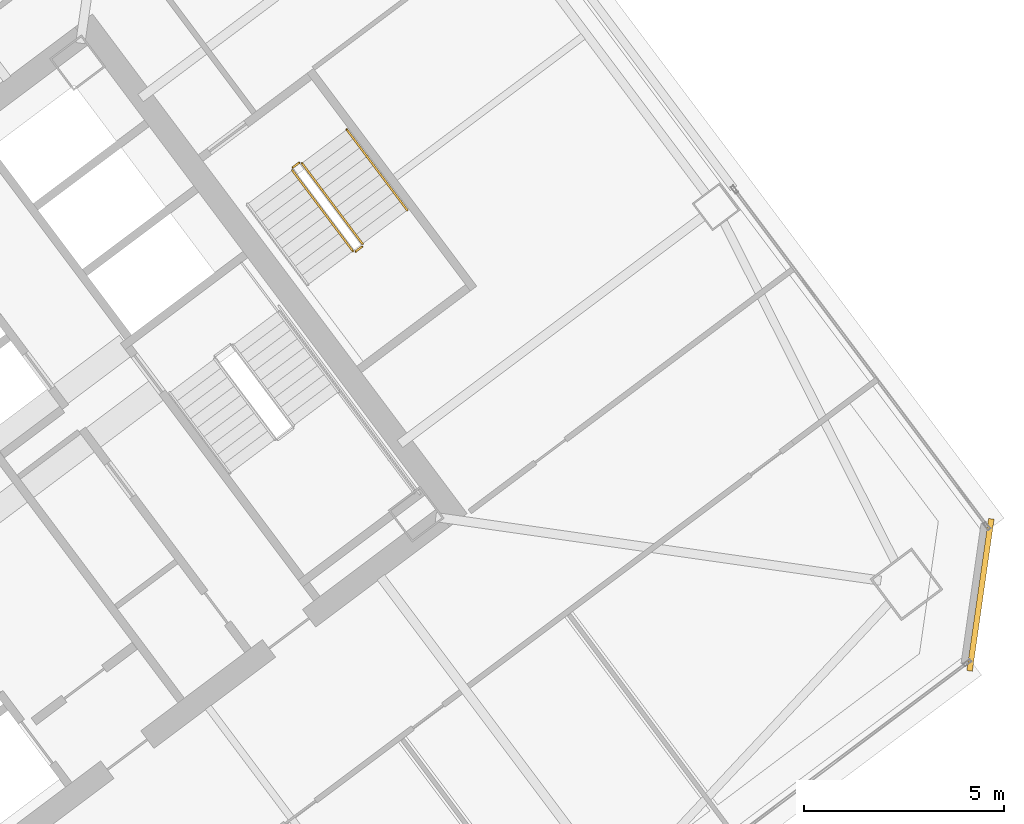
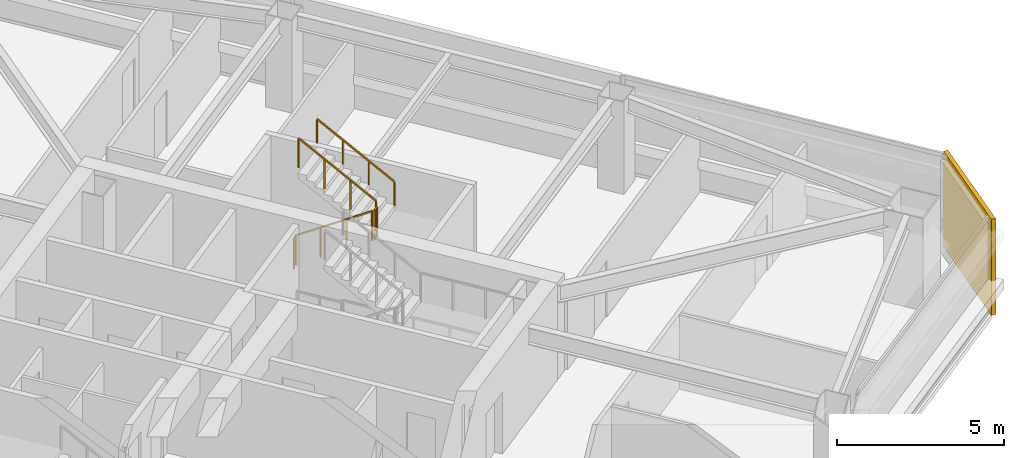
# One storey, part 40 of 41: 5 railings, 1 covering.
"""IFC4 building model written with IfcOpenShell, lengths in metres."""

from ifc_helpers import new_model, si_unit, direction, frame, origin, origin_2d, place, context, subcontext, project, spatial, rectangle, extrude, material, layer, layer_set, type_object, element, save


model = new_model("IFC4")

# Units and contexts
model_context = context("Model", 3, precision=1e-05, world=origin(), true_north=direction((0.0, 1.0)))
body_context = subcontext(model_context, "Body", "Model", "MODEL_VIEW")
ifc_project = project(units=[si_unit("LENGTHUNIT", "METRE"), si_unit("AREAUNIT", "SQUARE_METRE"), si_unit("VOLUMEUNIT", "CUBIC_METRE"), si_unit("PLANEANGLEUNIT", "RADIAN"), si_unit("MASSUNIT", "GRAM", prefix="KILO")], contexts=[model_context])

# Site, building, storey
site_placement = place(None, origin())
site = spatial("IfcSite", under=ifc_project, at=site_placement, CompositionType="ELEMENT")
building_placement = place(site_placement, origin())
building = spatial("IfcBuilding", under=site, at=building_placement, Name="Tashvorn Skyway Center", CompositionType="ELEMENT")
storey_placement = place(building_placement, frame((0.0, 0.0, 117.949951171875)))
storey = spatial("IfcBuildingStorey", under=building, at=storey_placement, Name="L31", CompositionType="ELEMENT", Elevation=117.949951171875)

# Covering
ifc_material_1 = material(Name="Precast concrete C40/50", Category="concrete")
ifc_layer = layer(ifc_material_1, 0.35009765625)
ifc_layer_set = layer_set([ifc_layer], Name="Precast concrete C40/50")
covering_type = type_object("IfcCoveringType", Name="COV-STONE-TRIM", PredefinedType="CLADDING", material=ifc_layer_set)
covering_placement = place(storey_placement, frame((137.968017578125, 28.575927734375, 0.02001953125), z_axis=(0.0, 0.0, 1.0), x_axis=(0.141421350118, 0.989949494535, 0.0)))
element("IfcCovering", 1, at=covering_placement, inside=storey, type_object=covering_type, Name="Tower 2 L31 SE Mojave Limestone Corner Quoin", PredefinedType="CLADDING", context=body_context, shape_type="SweptSolid", body=[
    extrude(rectangle(XDim=3.8369140625, YDim=0.139892578125, at=origin_2d()), origin(), (0.0, 0.0, 1.0), 3.510009765625),
])

# Railings
ifc_material_2 = material(Name="Brushed stainless steel 316", Category="steel")
railing_type_1 = type_object("IfcRailingType", Name="RAIL-HAND-920", PredefinedType="HANDRAIL", material=ifc_material_2)
railing_1_placement = place(storey_placement, frame((123.64794921875, 38.18603515625, 1.95263671875)))
element("IfcRailing", 2, at=railing_1_placement, inside=storey, type_object=railing_type_1, Name="L31 ST-T2-3 stair handrail 2", PredefinedType="HANDRAIL", context=body_context, shape_type="SweptSolid", body=[
    extrude(rectangle(XDim=0.048095703125, YDim=0.048095703125, at=origin_2d()), frame((0.0, 0.0, 0.8759765625), z_axis=(-0.506768818287, 0.675664481285, 0.535409071218), x_axis=(-0.79998837352, -0.60001550166, 0.0)), (0.0, 0.0, 1.0), 2.983642578125),
    extrude(rectangle(XDim=0.0419921875, YDim=0.0419921875, at=origin_2d()), origin(), (0.0, 0.0, 1.0), 0.851806640625),
    extrude(rectangle(XDim=0.0419921875, YDim=0.0419921875, at=origin_2d()), frame((-0.50390625, 0.671875, 0.532470703125)), (0.0, 0.0, 1.0), 0.851806640625),
    extrude(rectangle(XDim=0.0419921875, YDim=0.0419921875, at=origin_2d()), frame((-1.008056640625, 1.343994140625, 1.06494140625)), (0.0, 0.0, 1.0), 0.851806640625),
    extrude(rectangle(XDim=0.0419921875, YDim=0.0419921875, at=origin_2d()), frame((-1.511962890625, 2.015869140625, 1.597412109375)), (0.0, 0.0, 1.0), 0.851806640625),
])
ifc_material_3 = material(Name="Painted galvanized steel S355", Category="steel")
railing_type_2 = type_object("IfcRailingType", Name="RAIL-STGUARD-1100", PredefinedType="GUARDRAIL", material=ifc_material_3)
railing_2_placement = place(storey_placement, frame((120.77587890625, 39.181884765625, 0.177490234375)))
element("IfcRailing", 3, at=railing_2_placement, inside=storey, type_object=railing_type_2, Name="L31 ST-T2-3 stair guard 1", PredefinedType="GUARDRAIL", context=body_context, shape_type="SweptSolid", body=[
    extrude(rectangle(XDim=0.048095703125, YDim=0.048095703125, at=origin_2d()), frame((0.0, 0.0, 1.076171875), z_axis=(0.506807425148, -0.675606863004, 0.535445235739), x_axis=(0.799941867976, 0.600077501544, 0.0)), (0.0, 0.0, 1.0), 2.98388671875),
    extrude(rectangle(XDim=0.0419921875, YDim=0.0419921875, at=origin_2d()), origin(), (0.0, 0.0, 1.0), 1.052001953125),
    extrude(rectangle(XDim=0.0419921875, YDim=0.0419921875, at=origin_2d()), frame((0.504150390625, -0.671875, 0.532470703125)), (0.0, 0.0, 1.0), 1.052001953125),
    extrude(rectangle(XDim=0.0419921875, YDim=0.0419921875, at=origin_2d()), frame((1.008056640625, -1.343994140625, 1.065185546875)), (0.0, 0.0, 1.0), 1.052001953125),
    extrude(rectangle(XDim=0.0419921875, YDim=0.0419921875, at=origin_2d()), frame((1.51220703125, -2.015869140625, 1.59765625)), (0.0, 0.0, 1.0), 1.052001953125),
])
railing_3_placement = place(storey_placement, frame((122.35791015625, 37.156005859375, 1.775146484375)))
element("IfcRailing", 4, at=railing_3_placement, inside=storey, type_object=railing_type_2, Name="L31 ST-T2-3 stair guard 2", PredefinedType="GUARDRAIL", context=body_context, shape_type="SweptSolid", body=[
    extrude(rectangle(XDim=0.048095703125, YDim=0.048095703125, at=origin_2d()), frame((0.0, 0.0, 1.076171875), z_axis=(0.800585412921, 0.599218655098, 0.0), x_axis=(-0.599218655098, 0.800585412921, 0.0)), (0.0, 0.0, 1.0), 0.199951171875),
    extrude(rectangle(XDim=0.0419921875, YDim=0.0419921875, at=origin_2d()), origin(), (0.0, 0.0, 1.0), 1.052001953125),
    extrude(rectangle(XDim=0.0419921875, YDim=0.0419921875, at=origin_2d()), frame((0.16015625, 0.119873046875, 0.0)), (0.0, 0.0, 1.0), 1.052001953125),
])
railing_4_placement = place(storey_placement, frame((122.528076171875, 37.345947265625, 1.95263671875)))
element("IfcRailing", 5, at=railing_4_placement, inside=storey, type_object=railing_type_2, Name="L31 ST-T2-3 stair guard 3", PredefinedType="GUARDRAIL", context=body_context, shape_type="SweptSolid", body=[
    extrude(rectangle(XDim=0.048095703125, YDim=0.048095703125, at=origin_2d()), frame((0.0, 0.0, 1.076171875), z_axis=(-0.506740800098, 0.675708949977, 0.535379469569), x_axis=(-0.800023250257, -0.599968998406, 0.0)), (0.0, 0.0, 1.0), 2.983642578125),
    extrude(rectangle(XDim=0.0419921875, YDim=0.0419921875, at=origin_2d()), origin(), (0.0, 0.0, 1.0), 1.052001953125),
    extrude(rectangle(XDim=0.0419921875, YDim=0.0419921875, at=origin_2d()), frame((-0.50390625, 0.672119140625, 0.532470703125)), (0.0, 0.0, 1.0), 1.052001953125),
    extrude(rectangle(XDim=0.0419921875, YDim=0.0419921875, at=origin_2d()), frame((-1.008056640625, 1.343994140625, 1.06494140625)), (0.0, 0.0, 1.0), 1.052001953125),
    extrude(rectangle(XDim=0.0419921875, YDim=0.0419921875, at=origin_2d()), frame((-1.511962890625, 2.01611328125, 1.597412109375)), (0.0, 0.0, 1.0), 1.052001953125),
])
railing_5_placement = place(storey_placement, frame((120.785888671875, 39.251953125, 0.0)))
element("IfcRailing", 6, at=railing_5_placement, inside=storey, type_object=railing_type_2, Name="L31 ST-T2-3 stair guard 4", PredefinedType="GUARDRAIL", context=body_context, shape_type="SweptSolid", body=[
    extrude(rectangle(XDim=0.048095703125, YDim=0.048095703125, at=origin_2d()), frame((0.0, 0.0, 1.076171875), z_axis=(0.8, 0.6, 0.0), x_axis=(-0.6, 0.8, 0.0)), (0.0, 0.0, 1.0), 0.2001953125),
    extrude(rectangle(XDim=0.0419921875, YDim=0.0419921875, at=origin_2d()), origin(), (0.0, 0.0, 1.0), 1.052001953125),
    extrude(rectangle(XDim=0.0419921875, YDim=0.0419921875, at=origin_2d()), frame((0.16015625, 0.1201171875, 0.0)), (0.0, 0.0, 1.0), 1.052001953125),
])

save(model, "model.ifc")
